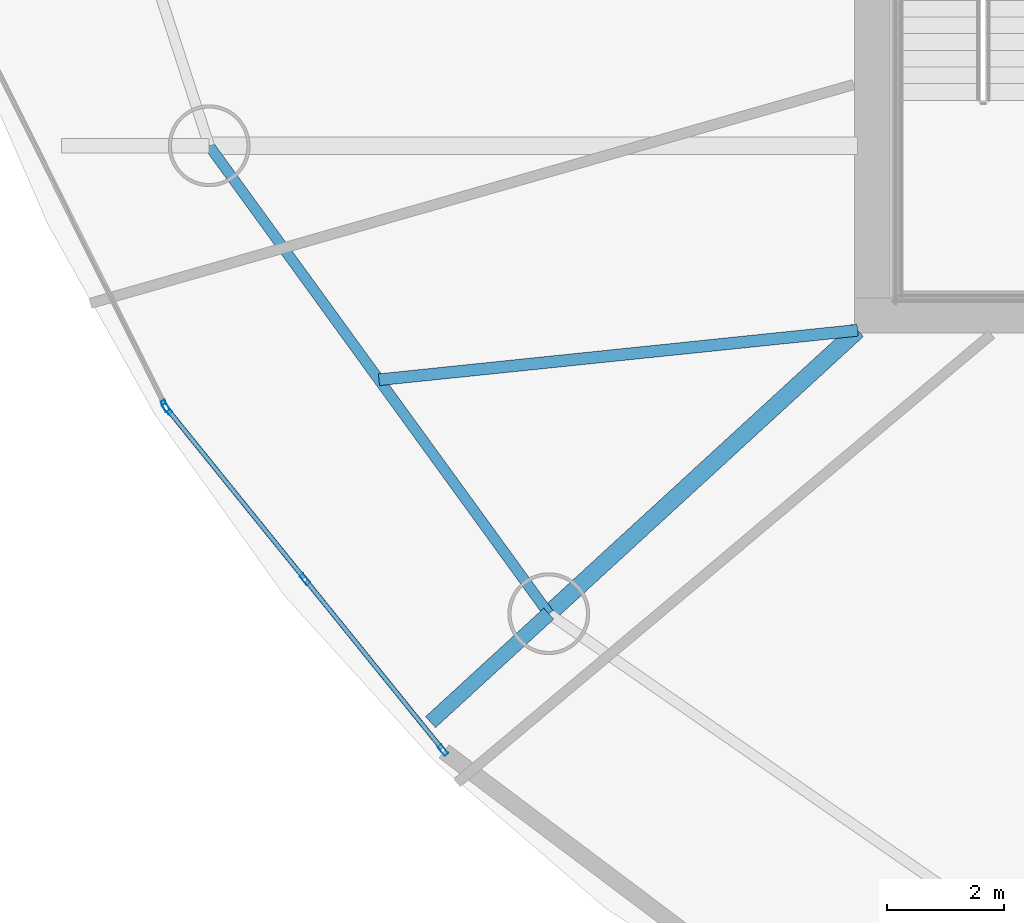
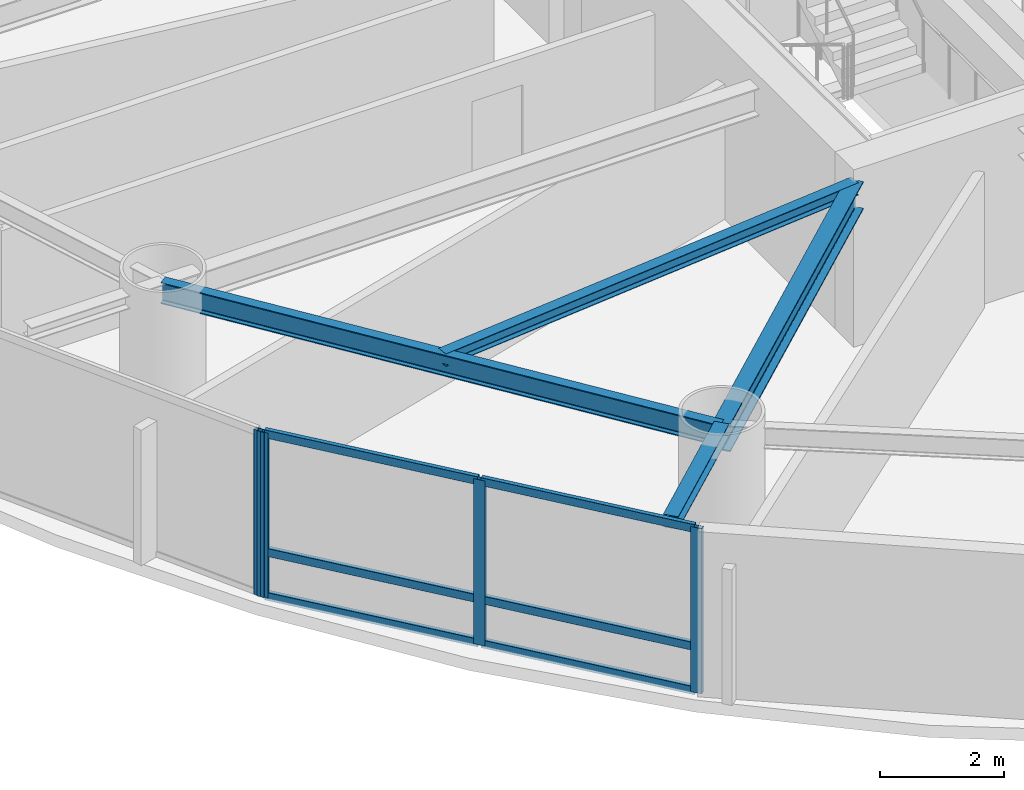
# One storey, part 2 of 24: 10 members, 4 beams, 2 elements without a shape of their own.
"""IFC4 building model written with IfcOpenShell, lengths in metres."""

import ifcopenshell
import ifcopenshell.guid

model = None  # the IFC model being written
_history = None  # IfcOwnerHistory: only IFC2X3 demands one
_inside = {}  # id of a spatial element -> (the spatial element, [elements in it])
_under = {}  # id of a project, library or spatial element -> (it, [spatial elements below it])
_declared = {}  # id of a project -> (the project, [libraries it declares])
_typed = {}  # id of a type object -> (the type object, [elements of that type])
_made_of = {}  # id of a material, layer set ... -> (it, [elements and type objects made of it])


def new_model(schema):
    """Start an empty IFC model of exactly this schema.

    Asked for "IFC4X3", IfcOpenShell would pick the latest addendum, in which some entities
    have other attributes; the version numbers below select the first issue.
    IFC2X3 requires an IfcOwnerHistory on every rooted entity: one is made here for all.
    """
    global model, _history
    if schema == "IFC4X3":
        model = ifcopenshell.file(schema_version=(4, 3, 0, 0))
    else:
        model = ifcopenshell.file(schema=schema)
    _inside.clear()
    _under.clear()
    _declared.clear()
    _typed.clear()
    _made_of.clear()
    _history = None
    if model.schema == "IFC2X3":
        org = make("IfcOrganization", Name="unknown")
        user = make(
            "IfcPersonAndOrganization",
            ThePerson=make("IfcPerson", FamilyName="unknown"),
            TheOrganization=org,
        )
        app = make(
            "IfcApplication",
            ApplicationDeveloper=org,
            Version="unknown",
            ApplicationFullName="unknown",
            ApplicationIdentifier="unknown",
        )
        _history = make(
            "IfcOwnerHistory",
            OwningUser=user,
            OwningApplication=app,
            ChangeAction="ADDED",
            CreationDate=0,
        )
    return model


def make(cls, **values):
    """One entity of the class cls with the attributes given. An attribute that is None is left unset."""
    return model.create_entity(
        cls, **{name: value for name, value in values.items() if value is not None}
    )


def rooted(cls, **values):
    """An entity with a GlobalId (a new one), such as an element, a storey or a relation."""
    return make(cls, GlobalId=ifcopenshell.guid.new(), OwnerHistory=_history, **values)


def si_unit(unit_type, name, prefix=None):
    """IfcSIUnit, for example si_unit("LENGTHUNIT", "METRE", prefix="MILLI")."""
    return make("IfcSIUnit", UnitType=unit_type, Prefix=prefix, Name=name)


def assignment(units):
    """IfcUnitAssignment: the units of a project."""
    return None if units is None else make("IfcUnitAssignment", Units=units)


def point(xyz):
    """IfcCartesianPoint."""
    return None if xyz is None else make("IfcCartesianPoint", Coordinates=xyz)


def direction(xyz):
    """IfcDirection."""
    return None if xyz is None else make("IfcDirection", DirectionRatios=xyz)


def frame(location, z_axis=None, x_axis=None):
    """IfcAxis2Placement3D, a coordinate frame: its origin and axes. An axis left out is left unset."""
    return make(
        "IfcAxis2Placement3D",
        Location=point(location),
        Axis=direction(z_axis),
        RefDirection=direction(x_axis),
    )


def frame_2d(location, x_axis=None):
    """IfcAxis2Placement2D, a coordinate frame in the plane: its origin and x axis."""
    return make(
        "IfcAxis2Placement2D", Location=point(location), RefDirection=direction(x_axis)
    )


def origin():
    """The frame at (0, 0, 0) with its axes left unset."""
    return frame((0.0, 0.0, 0.0))


def origin_2d():
    """The frame at (0, 0) in the plane with its x axis left unset."""
    return frame_2d((0.0, 0.0))


def place(relative_to, where):
    """IfcLocalPlacement: puts the frame where relative to a parent placement (None: the world)."""
    return make(
        "IfcLocalPlacement", PlacementRelTo=relative_to, RelativePlacement=where
    )


def context(
    kind, dimensions, precision=None, world=None, true_north=None, identifier=None
):
    """IfcGeometricRepresentationContext, for example the 3D "Model" context."""
    return make(
        "IfcGeometricRepresentationContext",
        ContextIdentifier=identifier,
        ContextType=kind,
        CoordinateSpaceDimension=dimensions,
        Precision=precision,
        WorldCoordinateSystem=world,
        TrueNorth=true_north,
    )


def subcontext(parent, identifier, kind, view, scale=None):
    """IfcGeometricRepresentationSubContext, for example "Body" below "Model"."""
    return make(
        "IfcGeometricRepresentationSubContext",
        ContextIdentifier=identifier,
        ContextType=kind,
        ParentContext=parent,
        TargetScale=scale,
        TargetView=view,
    )


def project(units=None, contexts=None):
    """IfcProject with its units and contexts."""
    return rooted(
        "IfcProject",
        Name="project",
        RepresentationContexts=contexts,
        UnitsInContext=assignment(units),
    )


def spatial(cls, under=None, at=None, **own):
    """A site, building, storey or space (cls), placed at a placement, below another one or the project."""
    s = rooted(cls, ObjectPlacement=at, **own)
    if under is not None:
        _under.setdefault(under.id(), (under, []))[1].append(s)
    return s


def profile(cls, at=None, kind="AREA", **sizes):
    """A parametric profile (cls). Its sizes go by their IFC names, for example OverallWidth=200.0."""
    return make(cls, ProfileType=kind, Position=at, **sizes)


def hollow_rectangle(**sizes):
    """IfcRectangleHollowProfileDef."""
    return profile("IfcRectangleHollowProfileDef", **sizes)


def i_section(**sizes):
    """IfcIShapeProfileDef."""
    return profile("IfcIShapeProfileDef", **sizes)


def extrude(swept, where, along, depth):
    """IfcExtrudedAreaSolid: the profile swept, set in the frame where, extruded along a direction by depth."""
    return make(
        "IfcExtrudedAreaSolid",
        SweptArea=swept,
        Position=where,
        ExtrudedDirection=direction(along),
        Depth=depth,
    )


def shape(context_of_items, identifier, shape_type, items):
    """IfcShapeRepresentation: the items that make up one representation, for example the "Body"."""
    return make(
        "IfcShapeRepresentation",
        ContextOfItems=context_of_items,
        RepresentationIdentifier=identifier,
        RepresentationType=shape_type,
        Items=items,
    )


def material(Name=None, Category=None):
    """IfcMaterial."""
    return make("IfcMaterial", Name=Name, Category=Category)


def layer(
    of_material, thickness, ventilated=None, Name=None, Category=None, Priority=None
):
    """IfcMaterialLayer: one layer of a wall or slab, of a material (None: an air gap)."""
    return make(
        "IfcMaterialLayer",
        Material=of_material,
        LayerThickness=thickness,
        IsVentilated=ventilated,
        Name=Name,
        Category=Category,
        Priority=Priority,
    )


def layer_set(layers, Name=None):
    """IfcMaterialLayerSet."""
    return make("IfcMaterialLayerSet", MaterialLayers=layers, LayerSetName=Name)


def material_profile(
    of_material, cross_section, Name=None, Category=None, Priority=None
):
    """IfcMaterialProfile: a cross section and its material."""
    return make(
        "IfcMaterialProfile",
        Name=Name,
        Material=of_material,
        Profile=cross_section,
        Priority=Priority,
        Category=Category,
    )


def profile_set(profiles, Name=None, composite=None):
    """IfcMaterialProfileSet."""
    return make(
        "IfcMaterialProfileSet",
        Name=Name,
        MaterialProfiles=profiles,
        CompositeProfile=composite,
    )


def made_of(thing, what):
    """Note that an element or type object is made of a material, layer set ...; save() writes the relation."""
    if what is not None:
        _made_of.setdefault(what.id(), (what, []))[1].append(thing)
    return thing


def type_object(cls, material=None, **own):
    """A type object (cls), such as IfcWallType, which elements share."""
    return made_of(rooted(cls, **own), material)


def element(
    cls,
    number,
    at=None,
    inside=None,
    cuts=None,
    type_object=None,
    material=None,
    context=None,
    identifier="Body",
    shape_type=None,
    held_by="IfcProductDefinitionShape",
    body=None,
    shapes=None,
    **own,
):
    """One element of the class cls, such as IfcWall. Its Tag is "e" and its number.

    at: its placement. inside: the storey or other place that contains it. cuts: it is an
    opening in that element (IfcRelVoidsElement). A single representation is given by context,
    identifier, shape_type and body (its items); several are given by shapes. held_by: the class
    of the entity that holds the representations. save() writes the other relations.
    """
    e = rooted(cls, Tag="e%d" % number, ObjectPlacement=at, **own)
    if body is not None:
        shapes = [shape(context, identifier, shape_type, body)]
    if shapes is not None:
        e.Representation = make(held_by, Representations=shapes)
    if inside is not None:
        _inside.setdefault(inside.id(), (inside, []))[1].append(e)
    if cuts is not None:
        rooted(
            "IfcRelVoidsElement", RelatingBuildingElement=cuts, RelatedOpeningElement=e
        )
    if type_object is not None:
        _typed.setdefault(type_object.id(), (type_object, []))[1].append(e)
    return made_of(e, material)


def aggregate(whole, parts):
    """IfcRelAggregates: a whole, such as a stair, and the parts it consists of."""
    return rooted("IfcRelAggregates", RelatingObject=whole, RelatedObjects=parts)


def save(model, path):
    """Write the relations noted so far, then the file.

    IfcRelAggregates (storeys below a building ...), IfcRelContainedInSpatialStructure (elements
    in a storey), IfcRelDefinesByType, IfcRelAssociatesMaterial and IfcRelDeclares: one each for
    every whole, place, type object, material and project.
    """
    for whole, parts in _under.values():
        aggregate(whole, parts)
    for where, things in _inside.values():
        rooted(
            "IfcRelContainedInSpatialStructure",
            RelatedElements=things,
            RelatingStructure=where,
        )
    for kind, things in _typed.values():
        rooted("IfcRelDefinesByType", RelatedObjects=things, RelatingType=kind)
    for what, things in _made_of.values():
        rooted("IfcRelAssociatesMaterial", RelatedObjects=things, RelatingMaterial=what)
    for by, libraries in _declared.values():
        rooted("IfcRelDeclares", RelatingContext=by, RelatedDefinitions=libraries)
    model.write(path)


model = new_model("IFC4")

# Units and contexts
model_context = context("Model", 3, precision=1e-05, world=origin(), true_north=direction((0.0, 1.0)))
body_context = subcontext(model_context, "Body", "Model", "MODEL_VIEW")
ifc_project = project(units=[si_unit("LENGTHUNIT", "METRE"), si_unit("AREAUNIT", "SQUARE_METRE"), si_unit("VOLUMEUNIT", "CUBIC_METRE"), si_unit("PLANEANGLEUNIT", "RADIAN"), si_unit("MASSUNIT", "GRAM", prefix="KILO")], contexts=[model_context])

# Site, building, storey
site_placement = place(None, origin())
site = spatial("IfcSite", under=ifc_project, at=site_placement, CompositionType="ELEMENT")
building_placement = place(site_placement, origin())
building = spatial("IfcBuilding", under=site, at=building_placement, Name="Bramvorn Convention Spire", CompositionType="ELEMENT")
storey_placement = place(building_placement, frame((0.0, 0.0, 148.300048828125)))
storey = spatial("IfcBuildingStorey", under=building, at=storey_placement, Name="L37", CompositionType="ELEMENT", Elevation=148.300048828125)

# Beams
ifc_material_1 = material(Name="Steel CSA G40.21 Grade 350 (350W)", Category="steel")
ifc_material_profile_1 = material_profile(ifc_material_1, i_section(OverallWidth=0.201904296875, OverallDepth=0.2470703125, WebThickness=0.00732421875, FlangeThickness=0.010986328125, FilletRadius=0.011962890625, at=origin_2d()))
ifc_profile_set_1 = profile_set([ifc_material_profile_1], Name="Steel CSA G40.21 Grade 350 (350W) - W250X49")
beam_type_1 = type_object("IfcBeamType", Name="BM-W250X49", PredefinedType="JOIST", material=ifc_profile_set_1)
beam_1_placement = place(storey_placement, frame((26.75, 18.550048828125, 3.136474609375), z_axis=(-0.994705076194, -0.102770673804, 0.0), x_axis=(0.102770673804, -0.994705076194, 0.0)))
element("IfcBeam", 1, at=beam_1_placement, inside=storey, type_object=beam_type_1, Name="L37 composite floor joist 11", PredefinedType="JOIST", context=body_context, shape_type="SweptSolid", body=[
    extrude(i_section(OverallWidth=0.201904296875, OverallDepth=0.2470703125, WebThickness=0.00732421875, FlangeThickness=0.010986328125, FilletRadius=0.011962890625, at=origin_2d()), origin(), (0.0, 0.0, 1.0), 8.23388671875),
])
ifc_material_profile_2 = material_profile(ifc_material_1, i_section(OverallWidth=0.25390625, OverallDepth=0.2529296875, WebThickness=0.008544921875, FlangeThickness=0.01416015625, FilletRadius=0.011962890625, at=origin_2d()))
ifc_profile_set_2 = profile_set([ifc_material_profile_2], Name="Steel CSA G40.21 Grade 350 (350W) - W250X73")
beam_type_2 = type_object("IfcBeamType", Name="BM-W250X73", PredefinedType="BEAM", material=ifc_profile_set_2)
beam_2_placement = place(storey_placement, frame((21.465087890625, 13.700927734375, 3.133544921875), z_axis=(-0.736825497404, -0.676082972996, 0.0), x_axis=(0.676082972996, -0.736825497404, 0.0)))
element("IfcBeam", 2, at=beam_2_placement, inside=storey, type_object=beam_type_2, Name="L37 slab-edge cantilever tip beam MC12", PredefinedType="BEAM", context=body_context, shape_type="SweptSolid", body=[
    extrude(i_section(OverallWidth=0.25390625, OverallDepth=0.2529296875, WebThickness=0.008544921875, FlangeThickness=0.01416015625, FilletRadius=0.011962890625, at=origin_2d()), origin(), (0.0, 0.0, 1.0), 2.7451171875),
])
ifc_material_profile_3 = material_profile(ifc_material_1, i_section(OverallWidth=0.180908203125, OverallDepth=0.4169921875, WebThickness=0.010986328125, FlangeThickness=0.018310546875, FilletRadius=0.01611328125, at=origin_2d()))
ifc_profile_set_3 = profile_set([ifc_material_profile_3], Name="Steel CSA G40.21 Grade 350 (350W) - W410X85")
beam_type_3 = type_object("IfcBeamType", Name="BM-W410X85", PredefinedType="JOIST", material=ifc_profile_set_3)
beam_3_placement = place(storey_placement, frame((15.654296875, 21.706787109375, 3.051513671875), z_axis=(0.587401024629, -0.809296012757, 0.0), x_axis=(0.809296012757, 0.587401024629, 0.0)))
element("IfcBeam", 3, at=beam_3_placement, inside=storey, type_object=beam_type_3, Name="L37 mega-column ring beam 11", PredefinedType="JOIST", context=body_context, shape_type="SweptSolid", body=[
    extrude(i_section(OverallWidth=0.180908203125, OverallDepth=0.4169921875, WebThickness=0.010986328125, FlangeThickness=0.018310546875, FilletRadius=0.01611328125, at=origin_2d()), origin(), (0.0, 0.0, 1.0), 9.892333984375),
])
ifc_material_profile_4 = material_profile(ifc_material_1, i_section(OverallWidth=0.2919921875, OverallDepth=0.551025390625, WebThickness=0.01513671875, FlangeThickness=0.0244140625, FilletRadius=0.01904296875, at=origin_2d()))
ifc_profile_set_4 = profile_set([ifc_material_profile_4], Name="Steel CSA G40.21 Grade 350 (350W) - W530X182")
beam_type_4 = type_object("IfcBeamType", Name="BM-W530X182", PredefinedType="BEAM", material=ifc_profile_set_4)
beam_4_placement = place(storey_placement, frame((26.75, 18.550048828125, 2.984375), z_axis=(-0.736833323746, -0.676074443399, 0.0), x_axis=(0.676074443399, -0.736833323746, 0.0)))
element("IfcBeam", 4, at=beam_4_placement, inside=storey, type_object=beam_type_4, Name="L37 radial floor girder MC12", PredefinedType="BEAM", context=body_context, shape_type="SweptSolid", body=[
    extrude(i_section(OverallWidth=0.2919921875, OverallDepth=0.551025390625, WebThickness=0.01513671875, FlangeThickness=0.0244140625, FilletRadius=0.01904296875, at=origin_2d()), origin(), (0.0, 0.0, 1.0), 7.17236328125),
])

# Curtain wall, member
ifc_material_2 = material(Name="Anodised Bronze Unitised Curtain Wall", Category="aluminium")
ifc_layer = layer(ifc_material_2, 0.179931640625)
ifc_layer_set = layer_set([ifc_layer], Name="Anodised Bronze Unitised Curtain Wall - CW-HTL-FRIT")
curtain_wall_type = type_object("IfcCurtainWallType", Name="CW-HTL-FRIT", PredefinedType="USERDEFINED", material=ifc_layer_set)
curtain_wall_1_placement = place(storey_placement, origin())
curtain_wall_1 = element("IfcCurtainWall", 5, at=curtain_wall_1_placement, inside=storey, type_object=curtain_wall_type, Name="L37 fritted glass curtain wall 16", ObjectType="UNITISED CURTAIN WALL", PredefinedType="USERDEFINED")
ifc_material_3 = material(Name="Anodised Bronze Aluminium 6063-T6", Category="aluminium")
ifc_material_profile_5 = material_profile(ifc_material_3, hollow_rectangle(XDim=0.080078125, YDim=0.199951171875, WallThickness=0.00390625, InnerFilletRadius=0.0009765625, OuterFilletRadius=0.00390625, at=origin_2d()))
ifc_profile_set_5 = profile_set([ifc_material_profile_5], Name="Anodised Bronze Aluminium 6063-T6 - CWM80X200")
member_type_1 = type_object("IfcMemberType", Name="CW-MUL-180", PredefinedType="MULLION", material=ifc_profile_set_5)
member_1_placement = place(storey_placement, frame((14.902099609375, 17.25732421875, 0.0), z_axis=(0.0, 0.0, 1.0), x_axis=(-0.894742390492, -0.446582640343, 0.0)))
member_1 = element("IfcMember", 6, at=member_1_placement, type_object=member_type_1, Name="CW2 mullion 1", PredefinedType="MULLION", context=body_context, shape_type="SweptSolid", body=[
    extrude(hollow_rectangle(XDim=0.080078125, YDim=0.199951171875, WallThickness=0.00390625, InnerFilletRadius=0.0009765625, OuterFilletRadius=0.00390625, at=origin_2d()), origin(), (0.0, 0.0, 1.0), 3.260009765625),
])
aggregate(curtain_wall_1, [member_1])

# Curtain wall, members
curtain_wall_2_placement = place(storey_placement, origin())
curtain_wall_2 = element("IfcCurtainWall", 7, at=curtain_wall_2_placement, inside=storey, type_object=curtain_wall_type, Name="L37 fritted glass curtain wall 17", ObjectType="UNITISED CURTAIN WALL", PredefinedType="USERDEFINED")
member_2_placement = place(storey_placement, frame((19.655029296875, 11.367431640625, 0.0), z_axis=(0.0, 0.0, 1.0), x_axis=(-0.77769447816, -0.628642425103, 0.0)))
member_2 = element("IfcMember", 8, at=member_2_placement, type_object=member_type_1, Name="CW2 mullion 1", PredefinedType="MULLION", context=body_context, shape_type="SweptSolid", body=[
    extrude(hollow_rectangle(XDim=0.080078125, YDim=0.199951171875, WallThickness=0.00390625, InnerFilletRadius=0.0009765625, OuterFilletRadius=0.00390625, at=origin_2d()), origin(), (0.0, 0.0, 1.0), 3.260009765625),
])
member_3_placement = place(storey_placement, frame((17.294677734375, 14.287353515625, 0.0), z_axis=(0.0, 0.0, 1.0), x_axis=(-0.77769447816, -0.628642425103, 0.0)))
member_3 = element("IfcMember", 9, at=member_3_placement, type_object=member_type_1, Name="CW2 mullion 2", PredefinedType="MULLION", context=body_context, shape_type="SweptSolid", body=[
    extrude(hollow_rectangle(XDim=0.080078125, YDim=0.199951171875, WallThickness=0.00390625, InnerFilletRadius=0.0009765625, OuterFilletRadius=0.00390625, at=origin_2d()), origin(), (0.0, 0.0, 1.0), 3.260009765625),
])
member_4_placement = place(storey_placement, frame((14.9345703125, 17.207275390625, 0.0), z_axis=(0.0, 0.0, 1.0), x_axis=(-0.77769447816, -0.628642425103, 0.0)))
member_4 = element("IfcMember", 10, at=member_4_placement, type_object=member_type_1, Name="CW2 mullion 3", PredefinedType="MULLION", context=body_context, shape_type="SweptSolid", body=[
    extrude(hollow_rectangle(XDim=0.080078125, YDim=0.199951171875, WallThickness=0.00390625, InnerFilletRadius=0.0009765625, OuterFilletRadius=0.00390625, at=origin_2d()), origin(), (0.0, 0.0, 1.0), 3.260009765625),
])
ifc_material_profile_6 = material_profile(ifc_material_3, hollow_rectangle(XDim=0.080078125, YDim=0.159912109375, WallThickness=0.00390625, InnerFilletRadius=0.0009765625, OuterFilletRadius=0.00390625, at=origin_2d()))
ifc_profile_set_6 = profile_set([ifc_material_profile_6], Name="Anodised Bronze Aluminium 6063-T6 - CWT80X160")
member_type_2 = type_object("IfcMemberType", Name="CW-TRN-150", PredefinedType="USERDEFINED", material=ifc_profile_set_6)
member_5_placement = place(storey_placement, frame((19.63623046875, 11.390869140625, 0.030029296875), z_axis=(-0.628660079199, 0.777680207297, 0.0), x_axis=(-0.777680207297, -0.628660079199, 0.0)))
member_5 = element("IfcMember", 11, at=member_5_placement, type_object=member_type_2, Name="CW2 transom 1.1", ObjectType="TRANSOM", PredefinedType="USERDEFINED", context=body_context, shape_type="SweptSolid", body=[
    extrude(hollow_rectangle(XDim=0.080078125, YDim=0.159912109375, WallThickness=0.00390625, InnerFilletRadius=0.0009765625, OuterFilletRadius=0.00390625, at=origin_2d()), origin(), (0.0, 0.0, 1.0), 3.6943359375),
])
member_6_placement = place(storey_placement, frame((19.63623046875, 11.390869140625, 0.89990234375), z_axis=(-0.628660079199, 0.777680207297, 0.0), x_axis=(-0.777680207297, -0.628660079199, 0.0)))
member_6 = element("IfcMember", 12, at=member_6_placement, type_object=member_type_2, Name="CW2 transom 1.2", ObjectType="TRANSOM", PredefinedType="USERDEFINED", context=body_context, shape_type="SweptSolid", body=[
    extrude(hollow_rectangle(XDim=0.080078125, YDim=0.159912109375, WallThickness=0.00390625, InnerFilletRadius=0.0009765625, OuterFilletRadius=0.00390625, at=origin_2d()), origin(), (0.0, 0.0, 1.0), 3.6943359375),
])
member_7_placement = place(storey_placement, frame((19.63623046875, 11.390869140625, 3.22998046875), z_axis=(-0.628660079199, 0.777680207297, 0.0), x_axis=(-0.777680207297, -0.628660079199, 0.0)))
member_7 = element("IfcMember", 13, at=member_7_placement, type_object=member_type_2, Name="CW2 transom 1.3", ObjectType="TRANSOM", PredefinedType="USERDEFINED", context=body_context, shape_type="SweptSolid", body=[
    extrude(hollow_rectangle(XDim=0.080078125, YDim=0.159912109375, WallThickness=0.00390625, InnerFilletRadius=0.0009765625, OuterFilletRadius=0.00390625, at=origin_2d()), origin(), (0.0, 0.0, 1.0), 3.6943359375),
])
member_8_placement = place(storey_placement, frame((17.27587890625, 14.310791015625, 0.030029296875), z_axis=(-0.628660079199, 0.777680207297, 0.0), x_axis=(-0.777680207297, -0.628660079199, 0.0)))
member_8 = element("IfcMember", 14, at=member_8_placement, type_object=member_type_2, Name="CW2 transom 2.1", ObjectType="TRANSOM", PredefinedType="USERDEFINED", context=body_context, shape_type="SweptSolid", body=[
    extrude(hollow_rectangle(XDim=0.080078125, YDim=0.159912109375, WallThickness=0.00390625, InnerFilletRadius=0.0009765625, OuterFilletRadius=0.00390625, at=origin_2d()), origin(), (0.0, 0.0, 1.0), 3.6943359375),
])
member_9_placement = place(storey_placement, frame((17.27587890625, 14.310791015625, 0.89990234375), z_axis=(-0.628660079199, 0.777680207297, 0.0), x_axis=(-0.777680207297, -0.628660079199, 0.0)))
member_9 = element("IfcMember", 15, at=member_9_placement, type_object=member_type_2, Name="CW2 transom 2.2", ObjectType="TRANSOM", PredefinedType="USERDEFINED", context=body_context, shape_type="SweptSolid", body=[
    extrude(hollow_rectangle(XDim=0.080078125, YDim=0.159912109375, WallThickness=0.00390625, InnerFilletRadius=0.0009765625, OuterFilletRadius=0.00390625, at=origin_2d()), origin(), (0.0, 0.0, 1.0), 3.6943359375),
])
member_10_placement = place(storey_placement, frame((17.27587890625, 14.310791015625, 3.22998046875), z_axis=(-0.628660079199, 0.777680207297, 0.0), x_axis=(-0.777680207297, -0.628660079199, 0.0)))
member_10 = element("IfcMember", 16, at=member_10_placement, type_object=member_type_2, Name="CW2 transom 2.3", ObjectType="TRANSOM", PredefinedType="USERDEFINED", context=body_context, shape_type="SweptSolid", body=[
    extrude(hollow_rectangle(XDim=0.080078125, YDim=0.159912109375, WallThickness=0.00390625, InnerFilletRadius=0.0009765625, OuterFilletRadius=0.00390625, at=origin_2d()), origin(), (0.0, 0.0, 1.0), 3.6943359375),
])
aggregate(curtain_wall_2, [member_2, member_3, member_4, member_5, member_6, member_7, member_8, member_9, member_10])

save(model, "model.ifc")
